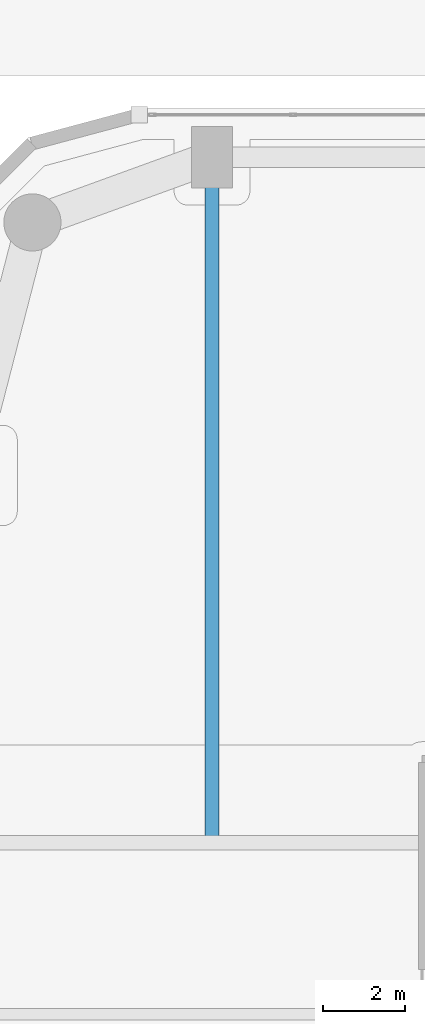
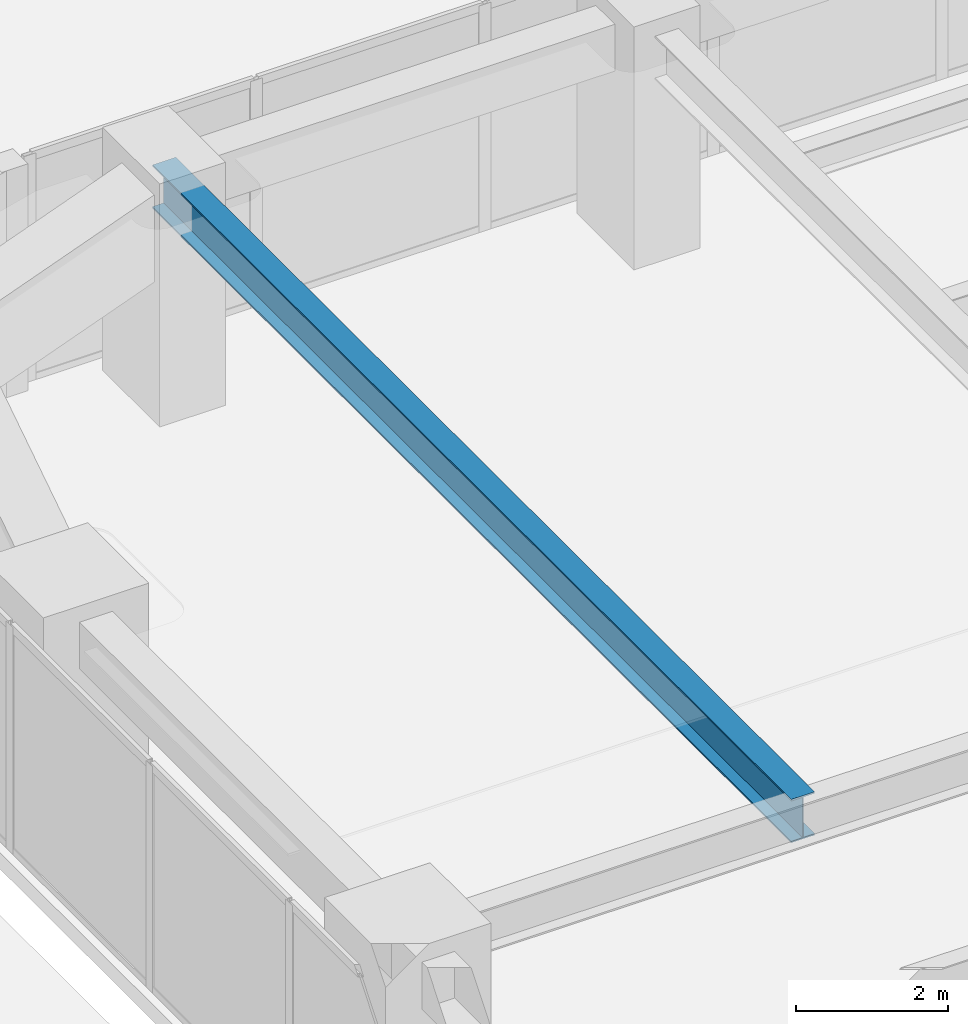
# One storey, part 7 of 38: 1 beam.
"""IFC4 building model written with IfcOpenShell, lengths in metres."""

import ifcopenshell
import ifcopenshell.guid

model = None  # the IFC model being written
_history = None  # IfcOwnerHistory: only IFC2X3 demands one
_inside = {}  # id of a spatial element -> (the spatial element, [elements in it])
_under = {}  # id of a project, library or spatial element -> (it, [spatial elements below it])
_declared = {}  # id of a project -> (the project, [libraries it declares])
_typed = {}  # id of a type object -> (the type object, [elements of that type])
_made_of = {}  # id of a material, layer set ... -> (it, [elements and type objects made of it])


def new_model(schema):
    """Start an empty IFC model of exactly this schema.

    Asked for "IFC4X3", IfcOpenShell would pick the latest addendum, in which some entities
    have other attributes; the version numbers below select the first issue.
    IFC2X3 requires an IfcOwnerHistory on every rooted entity: one is made here for all.
    """
    global model, _history
    if schema == "IFC4X3":
        model = ifcopenshell.file(schema_version=(4, 3, 0, 0))
    else:
        model = ifcopenshell.file(schema=schema)
    _inside.clear()
    _under.clear()
    _declared.clear()
    _typed.clear()
    _made_of.clear()
    _history = None
    if model.schema == "IFC2X3":
        org = make("IfcOrganization", Name="unknown")
        user = make(
            "IfcPersonAndOrganization",
            ThePerson=make("IfcPerson", FamilyName="unknown"),
            TheOrganization=org,
        )
        app = make(
            "IfcApplication",
            ApplicationDeveloper=org,
            Version="unknown",
            ApplicationFullName="unknown",
            ApplicationIdentifier="unknown",
        )
        _history = make(
            "IfcOwnerHistory",
            OwningUser=user,
            OwningApplication=app,
            ChangeAction="ADDED",
            CreationDate=0,
        )
    return model


def make(cls, **values):
    """One entity of the class cls with the attributes given. An attribute that is None is left unset."""
    return model.create_entity(
        cls, **{name: value for name, value in values.items() if value is not None}
    )


def rooted(cls, **values):
    """An entity with a GlobalId (a new one), such as an element, a storey or a relation."""
    return make(cls, GlobalId=ifcopenshell.guid.new(), OwnerHistory=_history, **values)


def si_unit(unit_type, name, prefix=None):
    """IfcSIUnit, for example si_unit("LENGTHUNIT", "METRE", prefix="MILLI")."""
    return make("IfcSIUnit", UnitType=unit_type, Prefix=prefix, Name=name)


def assignment(units):
    """IfcUnitAssignment: the units of a project."""
    return None if units is None else make("IfcUnitAssignment", Units=units)


def point(xyz):
    """IfcCartesianPoint."""
    return None if xyz is None else make("IfcCartesianPoint", Coordinates=xyz)


def direction(xyz):
    """IfcDirection."""
    return None if xyz is None else make("IfcDirection", DirectionRatios=xyz)


def frame(location, z_axis=None, x_axis=None):
    """IfcAxis2Placement3D, a coordinate frame: its origin and axes. An axis left out is left unset."""
    return make(
        "IfcAxis2Placement3D",
        Location=point(location),
        Axis=direction(z_axis),
        RefDirection=direction(x_axis),
    )


def frame_2d(location, x_axis=None):
    """IfcAxis2Placement2D, a coordinate frame in the plane: its origin and x axis."""
    return make(
        "IfcAxis2Placement2D", Location=point(location), RefDirection=direction(x_axis)
    )


def origin():
    """The frame at (0, 0, 0) with its axes left unset."""
    return frame((0.0, 0.0, 0.0))


def origin_2d():
    """The frame at (0, 0) in the plane with its x axis left unset."""
    return frame_2d((0.0, 0.0))


def place(relative_to, where):
    """IfcLocalPlacement: puts the frame where relative to a parent placement (None: the world)."""
    return make(
        "IfcLocalPlacement", PlacementRelTo=relative_to, RelativePlacement=where
    )


def context(
    kind, dimensions, precision=None, world=None, true_north=None, identifier=None
):
    """IfcGeometricRepresentationContext, for example the 3D "Model" context."""
    return make(
        "IfcGeometricRepresentationContext",
        ContextIdentifier=identifier,
        ContextType=kind,
        CoordinateSpaceDimension=dimensions,
        Precision=precision,
        WorldCoordinateSystem=world,
        TrueNorth=true_north,
    )


def subcontext(parent, identifier, kind, view, scale=None):
    """IfcGeometricRepresentationSubContext, for example "Body" below "Model"."""
    return make(
        "IfcGeometricRepresentationSubContext",
        ContextIdentifier=identifier,
        ContextType=kind,
        ParentContext=parent,
        TargetScale=scale,
        TargetView=view,
    )


def project(units=None, contexts=None):
    """IfcProject with its units and contexts."""
    return rooted(
        "IfcProject",
        Name="project",
        RepresentationContexts=contexts,
        UnitsInContext=assignment(units),
    )


def spatial(cls, under=None, at=None, **own):
    """A site, building, storey or space (cls), placed at a placement, below another one or the project."""
    s = rooted(cls, ObjectPlacement=at, **own)
    if under is not None:
        _under.setdefault(under.id(), (under, []))[1].append(s)
    return s


def profile(cls, at=None, kind="AREA", **sizes):
    """A parametric profile (cls). Its sizes go by their IFC names, for example OverallWidth=200.0."""
    return make(cls, ProfileType=kind, Position=at, **sizes)


def i_section(**sizes):
    """IfcIShapeProfileDef."""
    return profile("IfcIShapeProfileDef", **sizes)


def extrude(swept, where, along, depth):
    """IfcExtrudedAreaSolid: the profile swept, set in the frame where, extruded along a direction by depth."""
    return make(
        "IfcExtrudedAreaSolid",
        SweptArea=swept,
        Position=where,
        ExtrudedDirection=direction(along),
        Depth=depth,
    )


def shape(context_of_items, identifier, shape_type, items):
    """IfcShapeRepresentation: the items that make up one representation, for example the "Body"."""
    return make(
        "IfcShapeRepresentation",
        ContextOfItems=context_of_items,
        RepresentationIdentifier=identifier,
        RepresentationType=shape_type,
        Items=items,
    )


def material(Name=None, Category=None):
    """IfcMaterial."""
    return make("IfcMaterial", Name=Name, Category=Category)


def material_profile(
    of_material, cross_section, Name=None, Category=None, Priority=None
):
    """IfcMaterialProfile: a cross section and its material."""
    return make(
        "IfcMaterialProfile",
        Name=Name,
        Material=of_material,
        Profile=cross_section,
        Priority=Priority,
        Category=Category,
    )


def profile_set(profiles, Name=None, composite=None):
    """IfcMaterialProfileSet."""
    return make(
        "IfcMaterialProfileSet",
        Name=Name,
        MaterialProfiles=profiles,
        CompositeProfile=composite,
    )


def made_of(thing, what):
    """Note that an element or type object is made of a material, layer set ...; save() writes the relation."""
    if what is not None:
        _made_of.setdefault(what.id(), (what, []))[1].append(thing)
    return thing


def type_object(cls, material=None, **own):
    """A type object (cls), such as IfcWallType, which elements share."""
    return made_of(rooted(cls, **own), material)


def element(
    cls,
    number,
    at=None,
    inside=None,
    cuts=None,
    type_object=None,
    material=None,
    context=None,
    identifier="Body",
    shape_type=None,
    held_by="IfcProductDefinitionShape",
    body=None,
    shapes=None,
    **own,
):
    """One element of the class cls, such as IfcWall. Its Tag is "e" and its number.

    at: its placement. inside: the storey or other place that contains it. cuts: it is an
    opening in that element (IfcRelVoidsElement). A single representation is given by context,
    identifier, shape_type and body (its items); several are given by shapes. held_by: the class
    of the entity that holds the representations. save() writes the other relations.
    """
    e = rooted(cls, Tag="e%d" % number, ObjectPlacement=at, **own)
    if body is not None:
        shapes = [shape(context, identifier, shape_type, body)]
    if shapes is not None:
        e.Representation = make(held_by, Representations=shapes)
    if inside is not None:
        _inside.setdefault(inside.id(), (inside, []))[1].append(e)
    if cuts is not None:
        rooted(
            "IfcRelVoidsElement", RelatingBuildingElement=cuts, RelatedOpeningElement=e
        )
    if type_object is not None:
        _typed.setdefault(type_object.id(), (type_object, []))[1].append(e)
    return made_of(e, material)


def aggregate(whole, parts):
    """IfcRelAggregates: a whole, such as a stair, and the parts it consists of."""
    return rooted("IfcRelAggregates", RelatingObject=whole, RelatedObjects=parts)


def save(model, path):
    """Write the relations noted so far, then the file.

    IfcRelAggregates (storeys below a building ...), IfcRelContainedInSpatialStructure (elements
    in a storey), IfcRelDefinesByType, IfcRelAssociatesMaterial and IfcRelDeclares: one each for
    every whole, place, type object, material and project.
    """
    for whole, parts in _under.values():
        aggregate(whole, parts)
    for where, things in _inside.values():
        rooted(
            "IfcRelContainedInSpatialStructure",
            RelatedElements=things,
            RelatingStructure=where,
        )
    for kind, things in _typed.values():
        rooted("IfcRelDefinesByType", RelatedObjects=things, RelatingType=kind)
    for what, things in _made_of.values():
        rooted("IfcRelAssociatesMaterial", RelatedObjects=things, RelatingMaterial=what)
    for by, libraries in _declared.values():
        rooted("IfcRelDeclares", RelatingContext=by, RelatedDefinitions=libraries)
    model.write(path)


model = new_model("IFC4")

# Units and contexts
model_context = context("Model", 3, precision=1e-05, world=origin(), true_north=direction((0.0, 1.0)))
body_context = subcontext(model_context, "Body", "Model", "MODEL_VIEW")
ifc_project = project(units=[si_unit("LENGTHUNIT", "METRE"), si_unit("AREAUNIT", "SQUARE_METRE"), si_unit("VOLUMEUNIT", "CUBIC_METRE"), si_unit("PLANEANGLEUNIT", "RADIAN"), si_unit("MASSUNIT", "GRAM", prefix="KILO")], contexts=[model_context])

# Site, building, storey
site_placement = place(None, origin())
site = spatial("IfcSite", under=ifc_project, at=site_placement, CompositionType="ELEMENT")
building_placement = place(site_placement, origin())
building = spatial("IfcBuilding", under=site, at=building_placement, Name="Kiyonajd Concourse Tower", CompositionType="ELEMENT")
storey_placement = place(building_placement, frame((0.0, 0.0, 21.60009765625)))
storey = spatial("IfcBuildingStorey", under=building, at=storey_placement, Name="L06", CompositionType="ELEMENT", Elevation=21.60009765625)

# Beam
ifc_material = material(Name="Steel ASTM A992 Grade 50", Category="steel")
ifc_material_profile = material_profile(ifc_material, i_section(OverallWidth=0.35498046875, OverallDepth=0.695068359375, WebThickness=0.015380859375, FlangeThickness=0.02490234375, at=origin_2d()), Name="W690X217")
ifc_profile_set = profile_set([ifc_material_profile], Name="Steel ASTM A992 Grade 50")
beam_type = type_object("IfcBeamType", Name="BM-TWR-690", PredefinedType="BEAM", material=ifc_profile_set)
beam_placement = place(storey_placement, frame((25.199951171875, 44.39990234375, 3.29248046875), z_axis=(0.0, 1.0, 0.0), x_axis=(-1.0, 0.0, 0.0)))
element("IfcBeam", 1, at=beam_placement, inside=storey, type_object=beam_type, Name="L06 North Lease Girder", PredefinedType="BEAM", context=body_context, shape_type="SweptSolid", body=[
    extrude(i_section(OverallWidth=0.35498046875, OverallDepth=0.695068359375, WebThickness=0.015380859375, FlangeThickness=0.02490234375, at=origin_2d()), origin(), (0.0, 0.0, 1.0), 16.800048828125),
])

save(model, "model.ifc")
